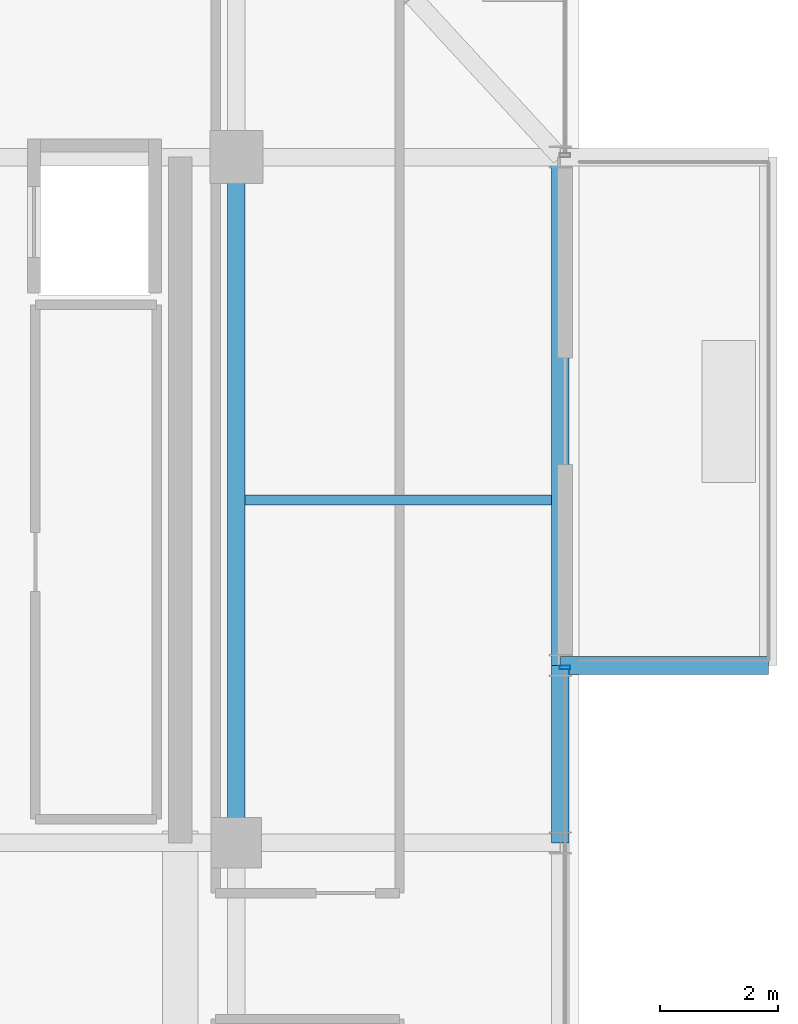
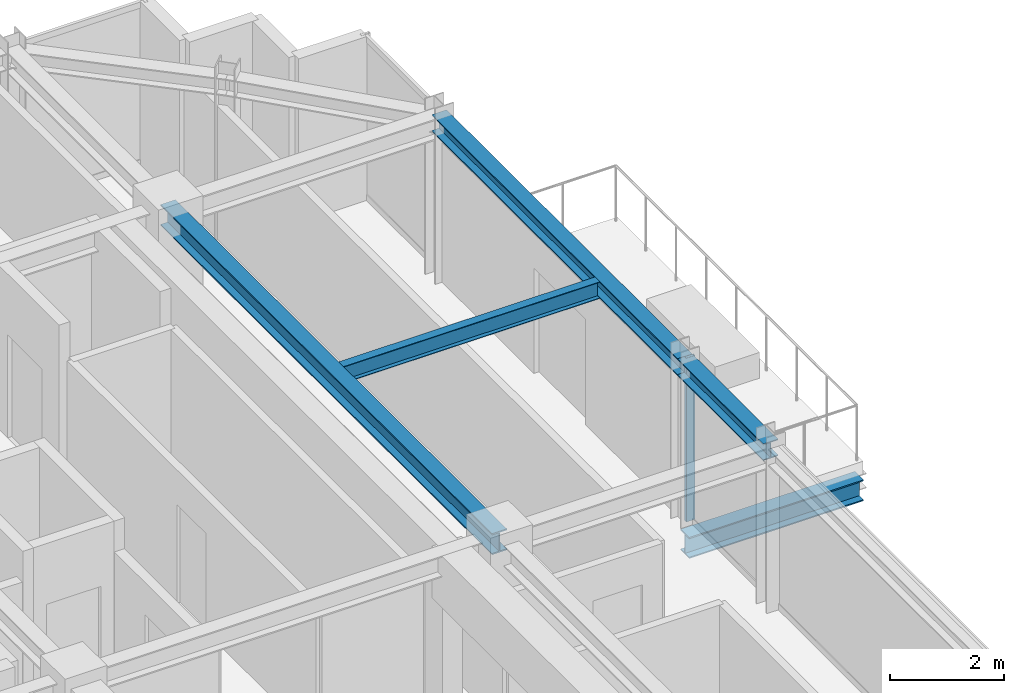
# One storey, part 22 of 32: 5 beams, 1 member, 1 element without a shape of its own.
"""IFC4 building model written with IfcOpenShell, lengths in metres."""

from ifc_helpers import new_model, si_unit, direction, frame, origin, origin_2d, place, context, subcontext, project, spatial, hollow_rectangle, i_section, extrude, source, transform, mapped, material, material_profile, profile_set, type_object, element, aggregate, save


model = new_model("IFC4")

# Units and contexts
model_context = context("Model", 3, precision=1e-05, world=origin(), true_north=direction((0.0, 1.0)))
body_context = subcontext(model_context, "Body", "Model", "MODEL_VIEW")
ifc_project = project(units=[si_unit("LENGTHUNIT", "METRE"), si_unit("AREAUNIT", "SQUARE_METRE"), si_unit("VOLUMEUNIT", "CUBIC_METRE"), si_unit("PLANEANGLEUNIT", "RADIAN"), si_unit("MASSUNIT", "GRAM", prefix="KILO")], contexts=[model_context])

# Site, building, storey
site_placement = place(None, origin())
site = spatial("IfcSite", under=ifc_project, at=site_placement, CompositionType="ELEMENT")
building_placement = place(site_placement, origin())
building = spatial("IfcBuilding", under=site, at=building_placement, Name="Nahalor Promenade Grand Hotel", CompositionType="ELEMENT")
storey_placement = place(building_placement, frame((0.0, 0.0, 330.949951171875)))
storey = spatial("IfcBuildingStorey", under=building, at=storey_placement, Name="L85", CompositionType="ELEMENT", Elevation=330.949951171875)

# Beams
ifc_material_1 = material(Name="Steel S355JR", Category="steel")
ifc_material_profile_1 = material_profile(ifc_material_1, i_section(OverallWidth=0.3, OverallDepth=0.45, WebThickness=0.014, FlangeThickness=0.026, at=origin_2d()), Name="HEB 450")
ifc_profile_set_1 = profile_set([ifc_material_profile_1], Name="Steel S355JR")
beam_type_1 = type_object("IfcBeamType", Name="Beam-Outrigger-HEB450", PredefinedType="BEAM", material=ifc_profile_set_1)
shared_shape_1 = source(origin(), body_context, "Body", "SweptSolid", [
    extrude(i_section(OverallWidth=0.3, OverallDepth=0.45, WebThickness=0.014, FlangeThickness=0.026, at=origin_2d()), origin(), (0.0, 0.0, 1.0), 3.52001953125),
])
beam_1_placement = place(storey_placement, frame((22.47998046875, 8.39990234375, -0.5048828125), z_axis=(1.0, 0.0, 0.0), x_axis=(0.0, 1.0, 0.0)))
element("IfcBeam", 1, at=beam_1_placement, inside=storey, type_object=beam_type_1, Name="BM-L85-BC-02-1", PredefinedType="BEAM", context=body_context, shape_type="MappedRepresentation", body=[
    mapped(shared_shape_1, transform((0.0, 0.0, 0.0), scale=1.0)),
])
ifc_material_profile_2 = material_profile(ifc_material_1, i_section(OverallWidth=0.3, OverallDepth=0.45, WebThickness=0.014, FlangeThickness=0.026, at=origin_2d()), Name="HEB 450")
ifc_profile_set_2 = profile_set([ifc_material_profile_2], Name="Steel S355JR")
beam_type_2 = type_object("IfcBeamType", Name="Beam-Girder-HEB450", PredefinedType="BEAM", material=ifc_profile_set_2)
shared_shape_2 = source(origin(), body_context, "Body", "SweptSolid", [
    extrude(i_section(OverallWidth=0.3, OverallDepth=0.45, WebThickness=0.014, FlangeThickness=0.026, at=origin_2d()), origin(), (0.0, 0.0, 1.0), 11.60009765625),
])
beam_2_placement = place(storey_placement, frame((17.0, 5.39990234375, 3.275146484375), z_axis=(0.0, 1.0, 0.0), x_axis=(-1.0, 0.0, 0.0)))
element("IfcBeam", 2, at=beam_2_placement, inside=storey, type_object=beam_type_2, Name="BM-L85-GY-5-3", PredefinedType="BEAM", context=body_context, shape_type="MappedRepresentation", body=[
    mapped(shared_shape_2, transform((0.0, 0.0, 0.0), scale=1.0)),
])
ifc_material_profile_3 = material_profile(ifc_material_1, i_section(OverallWidth=0.3, OverallDepth=0.36, WebThickness=0.0125, FlangeThickness=0.0225, at=origin_2d()), Name="HEB 360")
ifc_profile_set_3 = profile_set([ifc_material_profile_3], Name="Steel S355JR")
beam_type_3 = type_object("IfcBeamType", Name="Beam-Spandrel-HEB360", PredefinedType="SPANDREL", material=ifc_profile_set_3)
shared_shape_3 = source(origin(), body_context, "Body", "SweptSolid", [
    extrude(i_section(OverallWidth=0.3, OverallDepth=0.36, WebThickness=0.0125, FlangeThickness=0.0225, at=origin_2d()), origin(), (0.0, 0.0, 1.0), 8.60009765625),
])
beam_3_placement = place(storey_placement, frame((22.47998046875, 8.39990234375, 3.320068359375), z_axis=(0.0, 1.0, 0.0), x_axis=(-1.0, 0.0, 0.0)))
element("IfcBeam", 3, at=beam_3_placement, inside=storey, type_object=beam_type_3, Name="BM-L85-SP-E-4", PredefinedType="SPANDREL", context=body_context, shape_type="MappedRepresentation", body=[
    mapped(shared_shape_3, transform((0.0, 0.0, 0.0), scale=1.0)),
])
shared_shape_4 = source(origin(), body_context, "Body", "SweptSolid", [
    extrude(i_section(OverallWidth=0.3, OverallDepth=0.36, WebThickness=0.0125, FlangeThickness=0.0225, at=origin_2d()), origin(), (0.0, 0.0, 1.0), 3.0),
])
beam_4_placement = place(storey_placement, frame((22.47998046875, 5.39990234375, 3.320068359375), z_axis=(0.0, 1.0, 0.0), x_axis=(-1.0, 0.0, 0.0)))
element("IfcBeam", 4, at=beam_4_placement, inside=storey, type_object=beam_type_3, Name="BM-L85-SP-E-3", PredefinedType="SPANDREL", context=body_context, shape_type="MappedRepresentation", body=[
    mapped(shared_shape_4, transform((0.0, 0.0, 0.0), scale=1.0)),
])
ifc_material_profile_4 = material_profile(ifc_material_1, i_section(OverallWidth=0.17, OverallDepth=0.36, WebThickness=0.008, FlangeThickness=0.0127, at=origin_2d()), Name="IPE 360")
ifc_profile_set_4 = profile_set([ifc_material_profile_4], Name="Steel S355JR")
beam_type_4 = type_object("IfcBeamType", Name="Beam-Joist-IPE360", PredefinedType="JOIST", material=ifc_profile_set_4)
shared_shape_5 = source(origin(), body_context, "Body", "SweptSolid", [
    extrude(i_section(OverallWidth=0.17, OverallDepth=0.36, WebThickness=0.008, FlangeThickness=0.0127, at=origin_2d()), origin(), (0.0, 0.0, 1.0), 5.18017578125),
])
beam_5_placement = place(storey_placement, frame((17.14990234375, 11.199951171875, 3.320068359375), z_axis=(1.0, 0.0, 0.0), x_axis=(0.0, 1.0, 0.0)))
element("IfcBeam", 5, at=beam_5_placement, inside=storey, type_object=beam_type_4, Name="BM-L85-JSE-1-2", PredefinedType="JOIST", context=body_context, shape_type="MappedRepresentation", body=[
    mapped(shared_shape_5, transform((0.0, 0.0, 0.0), scale=1.0)),
])

# Curtain wall, member
ifc_material_2 = material(Name="Anodised Bronze Aluminium EN AW-6063 T6", Category="aluminium")
curtain_wall_type = type_object("IfcCurtainWallType", Name="CW2 Typical Hotel Flush Bronze Unitised Curtain Wall", PredefinedType="USERDEFINED", material=ifc_material_2)
curtain_wall_placement = place(storey_placement, origin())
curtain_wall = element("IfcCurtainWall", 6, at=curtain_wall_placement, inside=storey, type_object=curtain_wall_type, Name="L85 Curtain Wall CW-L85-E-1", ObjectType="UNITISED_CURTAIN_WALL", PredefinedType="USERDEFINED")
ifc_material_profile_5 = material_profile(ifc_material_2, hollow_rectangle(XDim=0.065, YDim=0.18, WallThickness=0.004, at=origin_2d()), Name="CWM 65x180x4")
ifc_profile_set_5 = profile_set([ifc_material_profile_5], Name="Anodised Bronze Aluminium EN AW-6063 T6")
member_type = type_object("IfcMemberType", Name="CWM2 Typical Bronze Mullion 65x180", PredefinedType="MULLION", material=ifc_profile_set_5)
shared_shape_6 = source(origin(), body_context, "Body", "SweptSolid", [
    extrude(hollow_rectangle(XDim=0.065, YDim=0.18, WallThickness=0.004, at=origin_2d()), origin(), (0.0, 0.0, 1.0), 3.5),
])
member_placement = place(storey_placement, frame((22.56005859375, 8.367431640625, 0.0), z_axis=(0.0, 0.0, 1.0), x_axis=(0.0, 1.0, 0.0)))
member = element("IfcMember", 7, at=member_placement, type_object=member_type, Name="CW-L85-E-1 Mullion 2", PredefinedType="MULLION", context=body_context, shape_type="MappedRepresentation", body=[
    mapped(shared_shape_6, transform((0.0, 0.0, 0.0), scale=1.0)),
])
aggregate(curtain_wall, [member])

save(model, "model.ifc")
